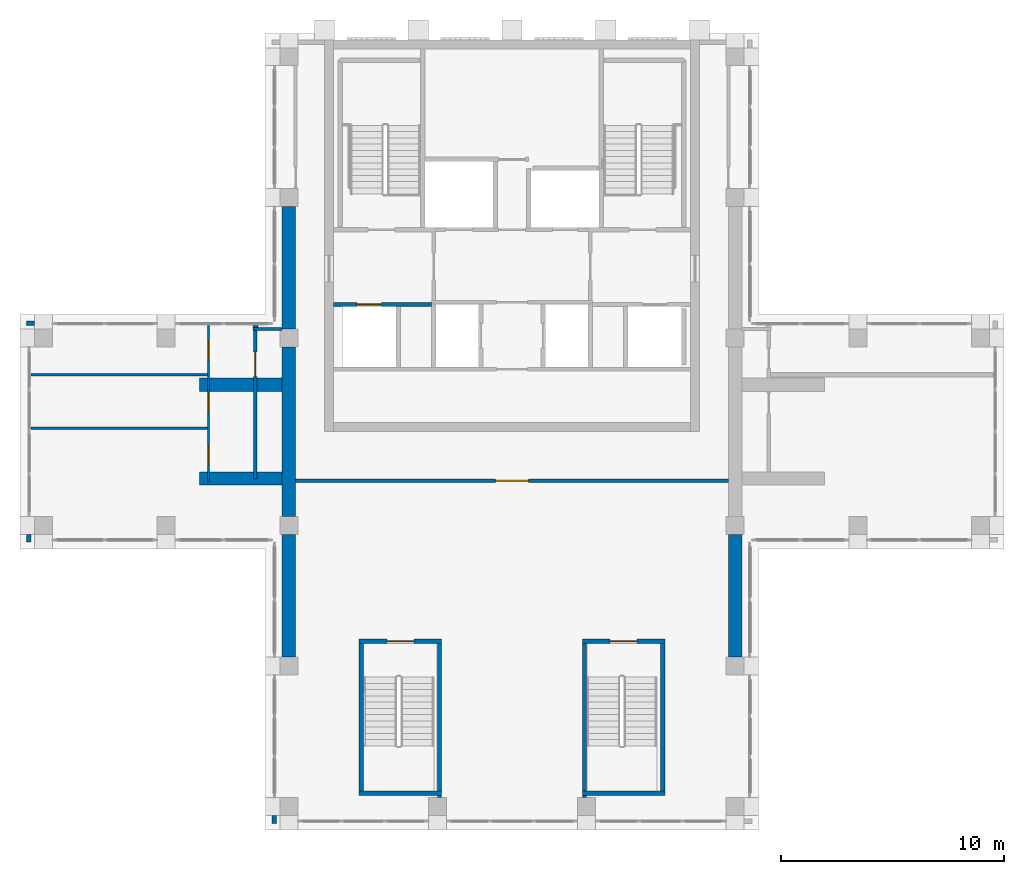
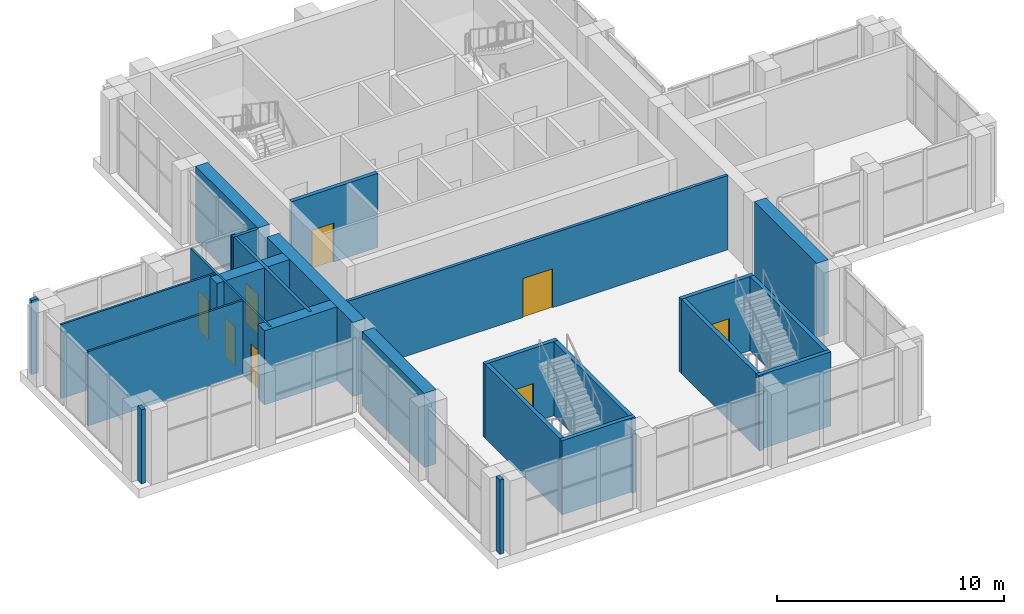
# One storey, part 9 of 15: 25 walls, 8 doors, 8 openings.
"""IFC4 building model written with IfcOpenShell, lengths in metres."""

from ifc_helpers import new_model, si_unit, direction, frame, frame_2d, origin, place, context, subcontext, project, spatial, rectangle, extrude, material, layer, layer_set, type_object, element, fill, save


model = new_model("IFC4")

# Units and contexts
model_context = context("Model", 3, precision=1e-05, world=origin(), true_north=direction((0.0, 1.0)))
body_context = subcontext(model_context, "Body", "Model", "MODEL_VIEW")
ifc_project = project(units=[si_unit("LENGTHUNIT", "METRE"), si_unit("AREAUNIT", "SQUARE_METRE"), si_unit("VOLUMEUNIT", "CUBIC_METRE"), si_unit("PLANEANGLEUNIT", "RADIAN"), si_unit("MASSUNIT", "GRAM", prefix="KILO")], contexts=[model_context])

# Site, building, storey
site_placement = place(None, origin())
site = spatial("IfcSite", under=ifc_project, at=site_placement, CompositionType="ELEMENT")
building_placement = place(site_placement, origin())
building = spatial("IfcBuilding", under=site, at=building_placement, Name="Vermilion Ogive Tower", CompositionType="ELEMENT")
storey_placement = place(building_placement, frame((0.0, 0.0, 293.85009765625)))
storey = spatial("IfcBuildingStorey", under=building, at=storey_placement, Name="L76", CompositionType="ELEMENT", Elevation=293.85009765625)

# Walls
ifc_material_1 = material(Name="Gypsum board partition on steel studs", Category="steel")
ifc_layer_1 = layer(ifc_material_1, 0.10009765625)
ifc_layer_set_1 = layer_set([ifc_layer_1], Name="Partition 100 bath")
wall_type_1 = type_object("IfcWallType", Name="Partition 100 bath", PredefinedType="PARTITIONING", material=ifc_layer_set_1)
for number, where, z_axis, x_axis, name in (
    (1, (-21.550048828125, 4.35009765625, 0.0), (0.0, 0.0, 1.0), (1.0, 0.0, 0.0), "L76-FS-W-W002"),
    (2, (-21.550048828125, 6.75, 0.0), (0.0, 0.0, 1.0), (1.0, 0.0, 0.0), "L76-FS-W-W003"),
):
    element("IfcWall", number, at=place(storey_placement, frame(where, z_axis=z_axis, x_axis=x_axis)), inside=storey, type_object=wall_type_1, Name=name, PredefinedType="PARTITIONING", context=body_context, shape_type="SweptSolid", body=[
        extrude(rectangle(XDim=7.900146484375, YDim=0.10009765625, at=frame_2d((3.9501953125, 0.0))), origin(), (0.0, 0.0, 1.0), 4.0),
    ])

# Wall, openings, doors
wall_1_placement = place(storey_placement, frame((-13.60009765625, 1.949951171875, 0.0), z_axis=(0.0, 0.0, 1.0), x_axis=(0.0, 1.0, 0.0)))
wall_1 = element("IfcWall", 3, at=wall_1_placement, inside=storey, type_object=wall_type_1, Name="L76-FS-W-W007", PredefinedType="PARTITIONING", context=body_context, shape_type="SweptSolid", body=[
    extrude(rectangle(XDim=7.0, YDim=0.10009765625, at=frame_2d((3.5, 0.0))), origin(), (0.0, 0.0, 1.0), 4.0),
])
opening_1_placement = place(wall_1_placement, frame((0.75, 0.0, 0.0)))
opening_1 = element("IfcOpeningElement", 4, at=opening_1_placement, cuts=wall_1, Name="Opening L76S003", PredefinedType="OPENING", context=body_context, shape_type="SweptSolid", body=[
    extrude(rectangle(XDim=0.89990234375, YDim=2.10009765625, at=frame_2d((0.449951171875, 1.050048828125))), frame((0.0, 0.06005859375, 0.0), z_axis=(0.0, -1.0, 0.0), x_axis=(1.0, 0.0, 0.0)), (0.0, 0.0, 1.0), 0.1201171875),
])
opening_2_placement = place(wall_1_placement, frame((3.10009765625, 0.0, 0.0)))
opening_2 = element("IfcOpeningElement", 5, at=opening_2_placement, cuts=wall_1, Name="Opening L76S004", PredefinedType="OPENING", context=body_context, shape_type="SweptSolid", body=[
    extrude(rectangle(XDim=0.89990234375, YDim=2.10009765625, at=frame_2d((0.449951171875, 1.050048828125))), frame((0.0, 0.06005859375, 0.0), z_axis=(0.0, -1.0, 0.0), x_axis=(1.0, 0.0, 0.0)), (0.0, 0.0, 1.0), 0.1201171875),
])
opening_3_placement = place(wall_1_placement, frame((5.449951171875, 0.0, 0.0)))
opening_3 = element("IfcOpeningElement", 6, at=opening_3_placement, cuts=wall_1, Name="Opening L76S005", PredefinedType="OPENING", context=body_context, shape_type="SweptSolid", body=[
    extrude(rectangle(XDim=0.89990234375, YDim=2.10009765625, at=frame_2d((0.449951171875, 1.050048828125))), frame((0.0, 0.06005859375, 0.0), z_axis=(0.0, -1.0, 0.0), x_axis=(1.0, 0.0, 0.0)), (0.0, 0.0, 1.0), 0.1201171875),
])
ifc_material_2 = material(Name="Timber door leaf", Category="wood")
door_type_1 = type_object("IfcDoorType", Name="Room door 900 x 2100 FD30", OperationType="SINGLE_SWING_LEFT", PredefinedType="DOOR", material=ifc_material_2)
door_1_placement = place(opening_1_placement, origin())
door_1 = element("IfcDoor", 7, at=door_1_placement, inside=storey, type_object=door_type_1, Name="L76-FS-D-D003", OperationType="SINGLE_SWING_LEFT", OverallHeight=2.10009765625, OverallWidth=0.89990234375, PredefinedType="DOOR", context=body_context, shape_type="SweptSolid", body=[
    extrude(rectangle(XDim=0.89990234375, YDim=2.10009765625, at=frame_2d((0.449951171875, 1.050048828125))), frame((0.0, 0.02490234375, 0.0), z_axis=(0.0, -1.0, 0.0), x_axis=(1.0, 0.0, 0.0)), (0.0, 0.0, 1.0), 0.050048828125),
])
fill(opening_1, door_1)
door_2_placement = place(opening_2_placement, origin())
door_2 = element("IfcDoor", 8, at=door_2_placement, inside=storey, type_object=door_type_1, Name="L76-FS-D-D004", OperationType="SINGLE_SWING_LEFT", OverallHeight=2.10009765625, OverallWidth=0.89990234375, PredefinedType="DOOR", context=body_context, shape_type="SweptSolid", body=[
    extrude(rectangle(XDim=0.89990234375, YDim=2.10009765625, at=frame_2d((0.449951171875, 1.050048828125))), frame((0.0, 0.02490234375, 0.0), z_axis=(0.0, -1.0, 0.0), x_axis=(1.0, 0.0, 0.0)), (0.0, 0.0, 1.0), 0.050048828125),
])
fill(opening_2, door_2)
door_3_placement = place(opening_3_placement, origin())
door_3 = element("IfcDoor", 9, at=door_3_placement, inside=storey, type_object=door_type_1, Name="L76-FS-D-D005", OperationType="SINGLE_SWING_RIGHT", OverallHeight=2.10009765625, OverallWidth=0.89990234375, PredefinedType="DOOR", context=body_context, shape_type="SweptSolid", body=[
    extrude(rectangle(XDim=0.89990234375, YDim=2.10009765625, at=frame_2d((0.449951171875, 1.050048828125))), frame((0.0, 0.02490234375, 0.0), z_axis=(0.0, -1.0, 0.0), x_axis=(1.0, 0.0, 0.0)), (0.0, 0.0, 1.0), 0.050048828125),
])
fill(opening_3, door_3)

# Wall, opening, door
ifc_material_3 = material(Name="Gypsum board partition on steel studs", Category="steel")
ifc_layer_2 = layer(ifc_material_3, 0.14990234375)
ifc_layer_set_2 = layer_set([ifc_layer_2], Name="Partition 150 corridor")
wall_type_2 = type_object("IfcWallType", Name="Partition 150 corridor", PredefinedType="PARTITIONING", material=ifc_layer_set_2)
wall_2_placement = place(storey_placement, frame((-9.698974609375, 2.0, 0.0), z_axis=(0.0, 0.0, 1.0), x_axis=(1.0, 0.0, 0.0)))
wall_2 = element("IfcWall", 10, at=wall_2_placement, inside=storey, type_object=wall_type_2, Name="L76-FS-W-W001", PredefinedType="PARTITIONING", context=body_context, shape_type="SweptSolid", body=[
    extrude(rectangle(XDim=19.39794921875, YDim=0.14990234375, at=frame_2d((9.698974609375, 0.0))), origin(), (0.0, 0.0, 1.0), 4.0),
])
opening_4_placement = place(wall_2_placement, frame((8.948974609375, 0.0, 0.0)))
opening_4 = element("IfcOpeningElement", 11, at=opening_4_placement, cuts=wall_2, Name="Opening L76S001", PredefinedType="OPENING", context=body_context, shape_type="SweptSolid", body=[
    extrude(rectangle(XDim=1.5, YDim=2.10009765625, at=frame_2d((0.75, 1.050048828125))), frame((0.0, 0.0849609375, 0.0), z_axis=(0.0, -1.0, 0.0), x_axis=(1.0, 0.0, 0.0)), (0.0, 0.0, 1.0), 0.169921875),
])
ifc_material_4 = material(Name="Timber door leaf", Category="wood")
door_type_2 = type_object("IfcDoorType", Name="Room door 1500 x 2100 FD30", OperationType="DOUBLE_DOOR_SINGLE_SWING", PredefinedType="DOOR", material=ifc_material_4)
door_4_placement = place(opening_4_placement, origin())
door_4 = element("IfcDoor", 12, at=door_4_placement, inside=storey, type_object=door_type_2, Name="L76-FS-D-D001", OperationType="DOUBLE_DOOR_SINGLE_SWING", OverallHeight=2.10009765625, OverallWidth=1.5, PredefinedType="DOOR", context=body_context, shape_type="SweptSolid", body=[
    extrude(rectangle(XDim=1.5, YDim=2.10009765625, at=frame_2d((0.75, 1.050048828125))), frame((0.0, 0.02490234375, 0.0), z_axis=(0.0, -1.0, 0.0), x_axis=(1.0, 0.0, 0.0)), (0.0, 0.0, 1.0), 0.050048828125),
])
fill(opening_4, door_4)

# Wall
wall_3_placement = place(storey_placement, frame((-11.60009765625, 8.800048828125, 0.0), z_axis=(0.0, 0.0, 1.0), x_axis=(1.0, 0.0, 0.0)))
element("IfcWall", 13, at=wall_3_placement, inside=storey, type_object=wall_type_2, Name="L76-FS-W-W005", PredefinedType="PARTITIONING", context=body_context, shape_type="SweptSolid", body=[
    extrude(rectangle(XDim=1.299072265625, YDim=0.14990234375, at=frame_2d((0.6494140625, 0.0))), origin(), (0.0, 0.0, 1.0), 4.0),
])

# Wall, opening, door
wall_4_placement = place(storey_placement, frame((-11.5, 2.074951171875, 0.0), z_axis=(0.0, 0.0, 1.0), x_axis=(0.0, 1.0, 0.0)))
wall_4 = element("IfcWall", 14, at=wall_4_placement, inside=storey, type_object=wall_type_2, Name="L76-FS-W-W008", PredefinedType="PARTITIONING", context=body_context, shape_type="SweptSolid", body=[
    extrude(rectangle(XDim=6.650146484375, YDim=0.14990234375, at=frame_2d((3.3251953125, 0.0))), origin(), (0.0, 0.0, 1.0), 4.0),
])
opening_5_placement = place(wall_4_placement, frame((4.587646484375, 0.0, 0.0)))
opening_5 = element("IfcOpeningElement", 15, at=opening_5_placement, cuts=wall_4, Name="Opening L76S002", PredefinedType="OPENING", context=body_context, shape_type="SweptSolid", body=[
    extrude(rectangle(XDim=1.10009765625, YDim=2.10009765625, at=frame_2d((0.550048828125, 1.050048828125))), frame((0.0, 0.0849609375, 0.0), z_axis=(0.0, -1.0, 0.0), x_axis=(1.0, 0.0, 0.0)), (0.0, 0.0, 1.0), 0.169921875),
])
ifc_material_5 = material(Name="Timber door leaf", Category="wood")
door_type_3 = type_object("IfcDoorType", Name="Wc door 1100 x 2100 FD30", OperationType="SINGLE_SWING_LEFT", PredefinedType="DOOR", material=ifc_material_5)
door_5_placement = place(opening_5_placement, origin())
door_5 = element("IfcDoor", 16, at=door_5_placement, inside=storey, type_object=door_type_3, Name="L76-FS-D-D002", OperationType="SINGLE_SWING_LEFT", OverallHeight=2.10009765625, OverallWidth=1.10009765625, PredefinedType="DOOR", context=body_context, shape_type="SweptSolid", body=[
    extrude(rectangle(XDim=1.10009765625, YDim=2.10009765625, at=frame_2d((0.550048828125, 1.050048828125))), frame((0.0, 0.02490234375, 0.0), z_axis=(0.0, -1.0, 0.0), x_axis=(1.0, 0.0, 0.0)), (0.0, 0.0, 1.0), 0.050048828125),
])
fill(opening_5, door_5)

# Wall
ifc_material_6 = material(Name="Gypsum board partition on steel studs", Category="steel")
ifc_layer_3 = layer(ifc_material_6, 0.199951171875)
ifc_layer_set_3 = layer_set([ifc_layer_3], Name="Partition 200 party")
wall_type_3 = type_object("IfcWallType", Name="Partition 200 party", PredefinedType="PARTITIONING", material=ifc_layer_set_3)
wall_5_placement = place(storey_placement, frame((-11.5, 8.875, 0.0), z_axis=(0.0, 0.0, 1.0), x_axis=(0.0, 1.0, 0.0)))
element("IfcWall", 17, at=wall_5_placement, inside=storey, type_object=wall_type_3, Name="L76-FS-W-W009", PredefinedType="PARTITIONING", context=body_context, shape_type="SweptSolid", body=[
    extrude(rectangle(XDim=0.074951171875, YDim=0.199951171875, at=frame_2d((0.03759765625, 0.0))), origin(), (0.0, 0.0, 1.0), 4.0),
])

# Wall, opening, door
wall_6_placement = place(storey_placement, frame((-7.9990234375, 9.89990234375, 0.0), z_axis=(0.0, 0.0, 1.0), x_axis=(1.0, 0.0, 0.0)))
wall_6 = element("IfcWall", 18, at=wall_6_placement, inside=storey, type_object=wall_type_3, Name="L76-CK-W-W002", PredefinedType="PARTITIONING", context=body_context, shape_type="SweptSolid", body=[
    extrude(rectangle(XDim=4.39892578125, YDim=0.199951171875, at=frame_2d((2.199462890625, 0.0))), origin(), (0.0, 0.0, 1.0), 4.0),
])
opening_6_placement = place(wall_6_placement, frame((1.049072265625, 0.0, 0.0)))
opening_6 = element("IfcOpeningElement", 19, at=opening_6_placement, cuts=wall_6, Name="Opening DAE077", PredefinedType="OPENING", context=body_context, shape_type="SweptSolid", body=[
    extrude(rectangle(XDim=1.10009765625, YDim=2.10009765625, at=frame_2d((0.550048828125, 1.050048828125))), frame((0.0, 0.10986328125, 0.0), z_axis=(0.0, -1.0, 0.0), x_axis=(1.0, 0.0, 0.0)), (0.0, 0.0, 1.0), 0.219970703125),
])
ifc_material_7 = material(Name="Stainless steel", Category="steel")
door_type_4 = type_object("IfcDoorType", Name="Lift landing door 1100 x 2100", OperationType="SLIDING_TO_LEFT", PredefinedType="DOOR", material=ifc_material_7)
door_6_placement = place(opening_6_placement, origin())
door_6 = element("IfcDoor", 20, at=door_6_placement, inside=storey, type_object=door_type_4, Name="L76-CK-D-D002", OperationType="SLIDING_TO_LEFT", OverallHeight=2.10009765625, OverallWidth=1.10009765625, PredefinedType="DOOR", context=body_context, shape_type="SweptSolid", body=[
    extrude(rectangle(XDim=1.10009765625, YDim=2.10009765625, at=frame_2d((0.550048828125, 1.050048828125))), frame((0.0, 0.02490234375, 0.0), z_axis=(0.0, -1.0, 0.0), x_axis=(1.0, 0.0, 0.0)), (0.0, 0.0, 1.0), 0.050048828125),
])
fill(opening_6, door_6)

ifc_material_8 = material(Name="Concrete B60", Category="concrete")
ifc_layer_4 = layer(ifc_material_8, 0.199951171875)
ifc_layer_set_4 = layer_set([ifc_layer_4], Name="Stair enclosure wall 200 Concrete B60")
wall_type_4 = type_object("IfcWallType", Name="Stair enclosure wall 200 Concrete B60", PredefinedType="PARTITIONING", material=ifc_layer_set_4)
wall_7_placement = place(storey_placement, frame((3.14990234375, -5.199951171875, 0.0), z_axis=(0.0, 0.0, 1.0), x_axis=(1.0, 0.0, 0.0)))
wall_7 = element("IfcWall", 21, at=wall_7_placement, inside=storey, type_object=wall_type_4, Name="L76-SW-ST6-N1", PredefinedType="PARTITIONING", context=body_context, shape_type="SweptSolid", body=[
    extrude(rectangle(XDim=3.7001953125, YDim=0.199951171875, at=frame_2d((1.85009765625, 0.0))), origin(), (0.0, 0.0, 1.0), 4.0),
])
opening_7_placement = place(wall_7_placement, frame((1.25, 0.0, 0.0)))
opening_7 = element("IfcOpeningElement", 22, at=opening_7_placement, cuts=wall_7, Name="Opening L76-SD6", PredefinedType="OPENING", context=body_context, shape_type="SweptSolid", body=[
    extrude(rectangle(XDim=1.199951171875, YDim=2.10009765625, at=frame_2d((0.60009765625, 1.050048828125))), frame((0.0, 0.10986328125, 0.0), z_axis=(0.0, -1.0, 0.0), x_axis=(1.0, 0.0, 0.0)), (0.0, 0.0, 1.0), 0.219970703125),
])
ifc_material_9 = material(Name="Timber door leaf", Category="wood")
door_type_5 = type_object("IfcDoorType", Name="Stair door 1200 x 2100 FD60S", OperationType="SINGLE_SWING_LEFT", PredefinedType="DOOR", material=ifc_material_9)
door_7_placement = place(opening_7_placement, origin())
door_7 = element("IfcDoor", 23, at=door_7_placement, inside=storey, type_object=door_type_5, Name="Stair door ST6", OperationType="SINGLE_SWING_LEFT", OverallHeight=2.10009765625, OverallWidth=1.199951171875, PredefinedType="DOOR", context=body_context, shape_type="SweptSolid", body=[
    extrude(rectangle(XDim=1.199951171875, YDim=2.10009765625, at=frame_2d((0.60009765625, 1.050048828125))), frame((0.0, 0.02490234375, 0.0), z_axis=(0.0, -1.0, 0.0), x_axis=(1.0, 0.0, 0.0)), (0.0, 0.0, 1.0), 0.050048828125),
])
fill(opening_7, door_7)

wall_8_placement = place(storey_placement, frame((-6.85009765625, -5.199951171875, 0.0), z_axis=(0.0, 0.0, 1.0), x_axis=(1.0, 0.0, 0.0)))
wall_8 = element("IfcWall", 24, at=wall_8_placement, inside=storey, type_object=wall_type_4, Name="L76-SW-ST7-N1", PredefinedType="PARTITIONING", context=body_context, shape_type="SweptSolid", body=[
    extrude(rectangle(XDim=3.7001953125, YDim=0.199951171875, at=frame_2d((1.85009765625, 0.0))), origin(), (0.0, 0.0, 1.0), 4.0),
])
opening_8_placement = place(wall_8_placement, frame((1.25, 0.0, 0.0)))
opening_8 = element("IfcOpeningElement", 25, at=opening_8_placement, cuts=wall_8, Name="Opening L76-SD7", PredefinedType="OPENING", context=body_context, shape_type="SweptSolid", body=[
    extrude(rectangle(XDim=1.199951171875, YDim=2.10009765625, at=frame_2d((0.60009765625, 1.050048828125))), frame((0.0, 0.10986328125, 0.0), z_axis=(0.0, -1.0, 0.0), x_axis=(1.0, 0.0, 0.0)), (0.0, 0.0, 1.0), 0.219970703125),
])
door_8_placement = place(opening_8_placement, origin())
door_8 = element("IfcDoor", 26, at=door_8_placement, inside=storey, type_object=door_type_5, Name="Stair door ST7", OperationType="SINGLE_SWING_LEFT", OverallHeight=2.10009765625, OverallWidth=1.199951171875, PredefinedType="DOOR", context=body_context, shape_type="SweptSolid", body=[
    extrude(rectangle(XDim=1.199951171875, YDim=2.10009765625, at=frame_2d((0.60009765625, 1.050048828125))), frame((0.0, 0.02490234375, 0.0), z_axis=(0.0, -1.0, 0.0), x_axis=(1.0, 0.0, 0.0)), (0.0, 0.0, 1.0), 0.050048828125),
])
fill(opening_8, door_8)

# Walls
ifc_material_10 = material(Name="Concrete B60", Category="concrete")
ifc_layer_5 = layer(ifc_material_10, 0.199951171875)
ifc_layer_set_5 = layer_set([ifc_layer_5], Name="Stair shaft wall 200 Concrete B60")
wall_type_5 = type_object("IfcWallType", Name="Stair shaft wall 200 Concrete B60", PredefinedType="SOLIDWALL", material=ifc_layer_set_5)
wall_9_placement = place(storey_placement, frame((3.14990234375, -12.0, 0.0), z_axis=(0.0, 0.0, 1.0), x_axis=(1.0, 0.0, 0.0)))
element("IfcWall", 27, at=wall_9_placement, inside=storey, type_object=wall_type_5, Name="L76-SW-ST6-S1", PredefinedType="SOLIDWALL", context=body_context, shape_type="SweptSolid", body=[
    extrude(rectangle(XDim=3.7001953125, YDim=0.199951171875, at=frame_2d((1.85009765625, 0.0))), origin(), (0.0, 0.0, 1.0), 4.0),
])
wall_10_placement = place(storey_placement, frame((3.25, -12.199951171875, 0.0), z_axis=(0.0, 0.0, 1.0), x_axis=(0.0, 1.0, 0.0)))
element("IfcWall", 28, at=wall_10_placement, inside=storey, type_object=wall_type_5, Name="L76-SW-ST6-W1", PredefinedType="SOLIDWALL", context=body_context, shape_type="SweptSolid", body=[
    extrude(rectangle(XDim=6.89990234375, YDim=0.199951171875, at=frame_2d((3.449951171875, 0.0))), origin(), (0.0, 0.0, 1.0), 4.0),
])
wall_11_placement = place(storey_placement, frame((6.75, -11.89990234375, 0.0), z_axis=(0.0, 0.0, 1.0), x_axis=(0.0, 1.0, 0.0)))
element("IfcWall", 29, at=wall_11_placement, inside=storey, type_object=wall_type_5, Name="L76-SW-ST6-E1", PredefinedType="SOLIDWALL", context=body_context, shape_type="SweptSolid", body=[
    extrude(rectangle(XDim=6.599853515625, YDim=0.199951171875, at=frame_2d((3.2998046875, 0.0))), origin(), (0.0, 0.0, 1.0), 4.0),
])
wall_12_placement = place(storey_placement, frame((-6.85009765625, -12.0, 0.0), z_axis=(0.0, 0.0, 1.0), x_axis=(1.0, 0.0, 0.0)))
element("IfcWall", 30, at=wall_12_placement, inside=storey, type_object=wall_type_5, Name="L76-SW-ST7-S1", PredefinedType="SOLIDWALL", context=body_context, shape_type="SweptSolid", body=[
    extrude(rectangle(XDim=3.7001953125, YDim=0.199951171875, at=frame_2d((1.85009765625, 0.0))), origin(), (0.0, 0.0, 1.0), 4.0),
])
wall_13_placement = place(storey_placement, frame((-6.75, -11.89990234375, 0.0), z_axis=(0.0, 0.0, 1.0), x_axis=(0.0, 1.0, 0.0)))
element("IfcWall", 31, at=wall_13_placement, inside=storey, type_object=wall_type_5, Name="L76-SW-ST7-W1", PredefinedType="SOLIDWALL", context=body_context, shape_type="SweptSolid", body=[
    extrude(rectangle(XDim=6.599853515625, YDim=0.199951171875, at=frame_2d((3.2998046875, 0.0))), origin(), (0.0, 0.0, 1.0), 4.0),
])
wall_14_placement = place(storey_placement, frame((-3.25, -12.199951171875, 0.0), z_axis=(0.0, 0.0, 1.0), x_axis=(0.0, 1.0, 0.0)))
element("IfcWall", 32, at=wall_14_placement, inside=storey, type_object=wall_type_5, Name="L76-SW-ST7-E1", PredefinedType="SOLIDWALL", context=body_context, shape_type="SweptSolid", body=[
    extrude(rectangle(XDim=6.89990234375, YDim=0.199951171875, at=frame_2d((3.449951171875, 0.0))), origin(), (0.0, 0.0, 1.0), 4.0),
])
ifc_material_11 = material(Name="Concrete B60", Category="concrete")
ifc_layer_6 = layer(ifc_material_11, 0.60009765625)
ifc_layer_set_6 = layer_set([ifc_layer_6], Name="Transfer wall 600 B60")
wall_type_6 = type_object("IfcWallType", Name="Transfer wall 600 B60", PredefinedType="SHEAR", material=ifc_layer_set_6)
for number, where, z_axis, x_axis, name in (
    (33, (-10.0, -5.89990234375, 0.0), (0.0, 0.0, 1.0), (0.0, 1.0, 0.0), "L76-TW-1"),
    (34, (10.0, -5.89990234375, 0.0), (0.0, 0.0, 1.0), (0.0, 1.0, 0.0), "L76-TW-2"),
):
    element("IfcWall", number, at=place(storey_placement, frame(where, z_axis=z_axis, x_axis=x_axis)), inside=storey, type_object=wall_type_6, Name=name, PredefinedType="SHEAR", context=body_context, shape_type="SweptSolid", body=[
        extrude(rectangle(XDim=5.5, YDim=0.60009765625, at=frame_2d((2.75, 0.0))), origin(), (0.0, 0.0, 1.0), 4.0),
    ])
wall_15_placement = place(storey_placement, frame((-10.0, 0.39990234375, 0.0), z_axis=(0.0, 0.0, 1.0), x_axis=(0.0, 1.0, 0.0)))
element("IfcWall", 35, at=wall_15_placement, inside=storey, type_object=wall_type_6, Name="L76-TW-3", PredefinedType="SHEAR", context=body_context, shape_type="SweptSolid", body=[
    extrude(rectangle(XDim=7.60009765625, YDim=0.60009765625, at=frame_2d((3.800048828125, 0.0))), origin(), (0.0, 0.0, 1.0), 4.0),
])
wall_16_placement = place(storey_placement, frame((-14.0, 6.300048828125, 0.0), z_axis=(0.0, 0.0, 1.0), x_axis=(1.0, 0.0, 0.0)))
element("IfcWall", 36, at=wall_16_placement, inside=storey, type_object=wall_type_6, Name="L76-TW-6", PredefinedType="SHEAR", context=body_context, shape_type="SweptSolid", body=[
    extrude(rectangle(XDim=3.699951171875, YDim=0.60009765625, at=frame_2d((1.85009765625, 0.0))), origin(), (0.0, 0.0, 1.0), 4.0),
])
wall_17_placement = place(storey_placement, frame((-10.0, 8.800048828125, 0.0), z_axis=(0.0, 0.0, 1.0), x_axis=(0.0, 1.0, 0.0)))
element("IfcWall", 37, at=wall_17_placement, inside=storey, type_object=wall_type_6, Name="L76-TW-8", PredefinedType="SHEAR", context=body_context, shape_type="SweptSolid", body=[
    extrude(rectangle(XDim=5.5, YDim=0.60009765625, at=frame_2d((2.75, 0.0))), origin(), (0.0, 0.0, 1.0), 4.0),
])
wall_18_placement = place(storey_placement, frame((-14.0, 2.10009765625, 0.0), z_axis=(0.0, 0.0, 1.0), x_axis=(1.0, 0.0, 0.0)))
element("IfcWall", 38, at=wall_18_placement, inside=storey, type_object=wall_type_6, Name="L76-TW-10", PredefinedType="SHEAR", context=body_context, shape_type="SweptSolid", body=[
    extrude(rectangle(XDim=3.699951171875, YDim=0.60009765625, at=frame_2d((1.85009765625, 0.0))), origin(), (0.0, 0.0, 1.0), 4.0),
])
ifc_material_12 = material(Name="Aluminium window wall framing", Category="aluminium")
ifc_layer_7 = layer(ifc_material_12, 0.199951171875)
ifc_layer_set_7 = layer_set([ifc_layer_7], Name="Window wall")
wall_type_7 = type_object("IfcWallType", Name="Window wall", PredefinedType="STANDARD", material=ifc_layer_set_7)
for number, where, z_axis, x_axis, name in (
    (39, (-21.39990234375, 9.050048828125, 0.0), (0.0, 0.0, 1.0), (-1.0, 0.0, 0.0), "Window wall X63"),
    (40, (-21.64990234375, -0.39990234375, 0.0), (0.0, 0.0, 1.0), (0.0, -1.0, 0.0), "Window wall W2"),
    (41, (-10.64990234375, -13.0, 0.0), (0.0, 0.0, 1.0), (0.0, -1.0, 0.0), "Window wall X83"),
):
    element("IfcWall", number, at=place(storey_placement, frame(where, z_axis=z_axis, x_axis=x_axis)), inside=storey, type_object=wall_type_7, Name=name, PredefinedType="STANDARD", context=body_context, shape_type="SweptSolid", body=[
        extrude(rectangle(XDim=0.35009765625, YDim=0.199951171875, at=frame_2d((0.175048828125, 0.0))), origin(), (0.0, 0.0, 1.0), 4.0),
    ])

save(model, "model.ifc")
